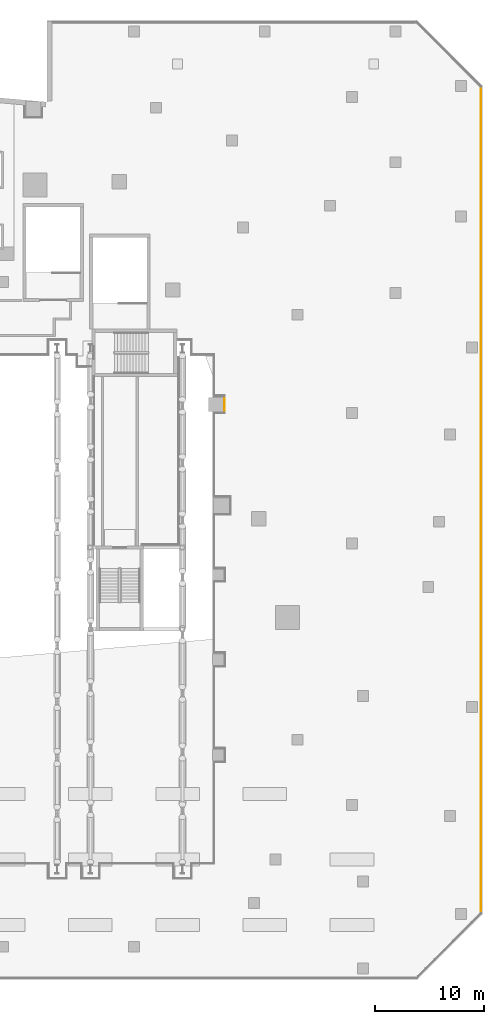
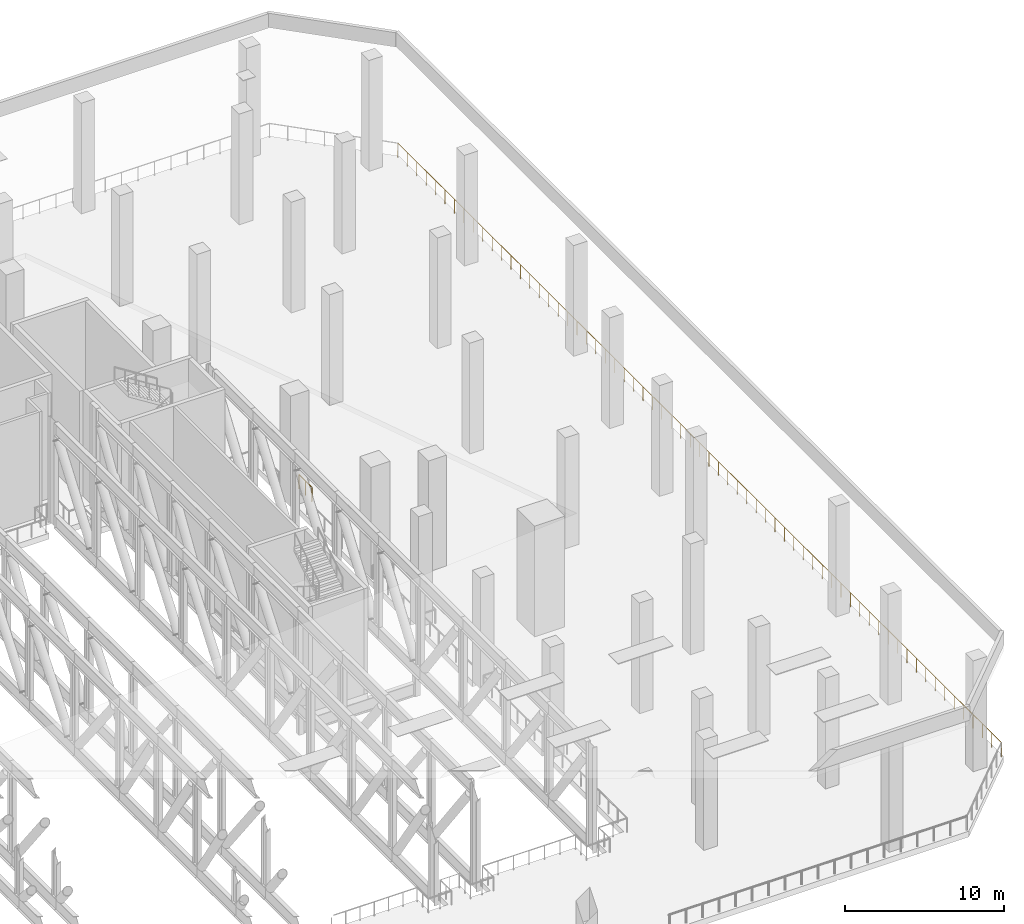
# One storey, part 30 of 33: 2 railings.
"""IFC4 building model written with IfcOpenShell, lengths in metres."""

import ifcopenshell
import ifcopenshell.guid

model = None  # the IFC model being written
_history = None  # IfcOwnerHistory: only IFC2X3 demands one
_inside = {}  # id of a spatial element -> (the spatial element, [elements in it])
_under = {}  # id of a project, library or spatial element -> (it, [spatial elements below it])
_declared = {}  # id of a project -> (the project, [libraries it declares])
_typed = {}  # id of a type object -> (the type object, [elements of that type])
_made_of = {}  # id of a material, layer set ... -> (it, [elements and type objects made of it])


def new_model(schema):
    """Start an empty IFC model of exactly this schema.

    Asked for "IFC4X3", IfcOpenShell would pick the latest addendum, in which some entities
    have other attributes; the version numbers below select the first issue.
    IFC2X3 requires an IfcOwnerHistory on every rooted entity: one is made here for all.
    """
    global model, _history
    if schema == "IFC4X3":
        model = ifcopenshell.file(schema_version=(4, 3, 0, 0))
    else:
        model = ifcopenshell.file(schema=schema)
    _inside.clear()
    _under.clear()
    _declared.clear()
    _typed.clear()
    _made_of.clear()
    _history = None
    if model.schema == "IFC2X3":
        org = make("IfcOrganization", Name="unknown")
        user = make(
            "IfcPersonAndOrganization",
            ThePerson=make("IfcPerson", FamilyName="unknown"),
            TheOrganization=org,
        )
        app = make(
            "IfcApplication",
            ApplicationDeveloper=org,
            Version="unknown",
            ApplicationFullName="unknown",
            ApplicationIdentifier="unknown",
        )
        _history = make(
            "IfcOwnerHistory",
            OwningUser=user,
            OwningApplication=app,
            ChangeAction="ADDED",
            CreationDate=0,
        )
    return model


def make(cls, **values):
    """One entity of the class cls with the attributes given. An attribute that is None is left unset."""
    return model.create_entity(
        cls, **{name: value for name, value in values.items() if value is not None}
    )


def rooted(cls, **values):
    """An entity with a GlobalId (a new one), such as an element, a storey or a relation."""
    return make(cls, GlobalId=ifcopenshell.guid.new(), OwnerHistory=_history, **values)


def si_unit(unit_type, name, prefix=None):
    """IfcSIUnit, for example si_unit("LENGTHUNIT", "METRE", prefix="MILLI")."""
    return make("IfcSIUnit", UnitType=unit_type, Prefix=prefix, Name=name)


def assignment(units):
    """IfcUnitAssignment: the units of a project."""
    return None if units is None else make("IfcUnitAssignment", Units=units)


def point(xyz):
    """IfcCartesianPoint."""
    return None if xyz is None else make("IfcCartesianPoint", Coordinates=xyz)


def direction(xyz):
    """IfcDirection."""
    return None if xyz is None else make("IfcDirection", DirectionRatios=xyz)


def frame(location, z_axis=None, x_axis=None):
    """IfcAxis2Placement3D, a coordinate frame: its origin and axes. An axis left out is left unset."""
    return make(
        "IfcAxis2Placement3D",
        Location=point(location),
        Axis=direction(z_axis),
        RefDirection=direction(x_axis),
    )


def frame_2d(location, x_axis=None):
    """IfcAxis2Placement2D, a coordinate frame in the plane: its origin and x axis."""
    return make(
        "IfcAxis2Placement2D", Location=point(location), RefDirection=direction(x_axis)
    )


def origin():
    """The frame at (0, 0, 0) with its axes left unset."""
    return frame((0.0, 0.0, 0.0))


def origin_2d():
    """The frame at (0, 0) in the plane with its x axis left unset."""
    return frame_2d((0.0, 0.0))


def place(relative_to, where):
    """IfcLocalPlacement: puts the frame where relative to a parent placement (None: the world)."""
    return make(
        "IfcLocalPlacement", PlacementRelTo=relative_to, RelativePlacement=where
    )


def context(
    kind, dimensions, precision=None, world=None, true_north=None, identifier=None
):
    """IfcGeometricRepresentationContext, for example the 3D "Model" context."""
    return make(
        "IfcGeometricRepresentationContext",
        ContextIdentifier=identifier,
        ContextType=kind,
        CoordinateSpaceDimension=dimensions,
        Precision=precision,
        WorldCoordinateSystem=world,
        TrueNorth=true_north,
    )


def subcontext(parent, identifier, kind, view, scale=None):
    """IfcGeometricRepresentationSubContext, for example "Body" below "Model"."""
    return make(
        "IfcGeometricRepresentationSubContext",
        ContextIdentifier=identifier,
        ContextType=kind,
        ParentContext=parent,
        TargetScale=scale,
        TargetView=view,
    )


def project(units=None, contexts=None):
    """IfcProject with its units and contexts."""
    return rooted(
        "IfcProject",
        Name="project",
        RepresentationContexts=contexts,
        UnitsInContext=assignment(units),
    )


def spatial(cls, under=None, at=None, **own):
    """A site, building, storey or space (cls), placed at a placement, below another one or the project."""
    s = rooted(cls, ObjectPlacement=at, **own)
    if under is not None:
        _under.setdefault(under.id(), (under, []))[1].append(s)
    return s


def profile(cls, at=None, kind="AREA", **sizes):
    """A parametric profile (cls). Its sizes go by their IFC names, for example OverallWidth=200.0."""
    return make(cls, ProfileType=kind, Position=at, **sizes)


def circle(**sizes):
    """IfcCircleProfileDef."""
    return profile("IfcCircleProfileDef", **sizes)


def extrude(swept, where, along, depth):
    """IfcExtrudedAreaSolid: the profile swept, set in the frame where, extruded along a direction by depth."""
    return make(
        "IfcExtrudedAreaSolid",
        SweptArea=swept,
        Position=where,
        ExtrudedDirection=direction(along),
        Depth=depth,
    )


def shape(context_of_items, identifier, shape_type, items):
    """IfcShapeRepresentation: the items that make up one representation, for example the "Body"."""
    return make(
        "IfcShapeRepresentation",
        ContextOfItems=context_of_items,
        RepresentationIdentifier=identifier,
        RepresentationType=shape_type,
        Items=items,
    )


def material(Name=None, Category=None):
    """IfcMaterial."""
    return make("IfcMaterial", Name=Name, Category=Category)


def made_of(thing, what):
    """Note that an element or type object is made of a material, layer set ...; save() writes the relation."""
    if what is not None:
        _made_of.setdefault(what.id(), (what, []))[1].append(thing)
    return thing


def type_object(cls, material=None, **own):
    """A type object (cls), such as IfcWallType, which elements share."""
    return made_of(rooted(cls, **own), material)


def element(
    cls,
    number,
    at=None,
    inside=None,
    cuts=None,
    type_object=None,
    material=None,
    context=None,
    identifier="Body",
    shape_type=None,
    held_by="IfcProductDefinitionShape",
    body=None,
    shapes=None,
    **own,
):
    """One element of the class cls, such as IfcWall. Its Tag is "e" and its number.

    at: its placement. inside: the storey or other place that contains it. cuts: it is an
    opening in that element (IfcRelVoidsElement). A single representation is given by context,
    identifier, shape_type and body (its items); several are given by shapes. held_by: the class
    of the entity that holds the representations. save() writes the other relations.
    """
    e = rooted(cls, Tag="e%d" % number, ObjectPlacement=at, **own)
    if body is not None:
        shapes = [shape(context, identifier, shape_type, body)]
    if shapes is not None:
        e.Representation = make(held_by, Representations=shapes)
    if inside is not None:
        _inside.setdefault(inside.id(), (inside, []))[1].append(e)
    if cuts is not None:
        rooted(
            "IfcRelVoidsElement", RelatingBuildingElement=cuts, RelatedOpeningElement=e
        )
    if type_object is not None:
        _typed.setdefault(type_object.id(), (type_object, []))[1].append(e)
    return made_of(e, material)


def aggregate(whole, parts):
    """IfcRelAggregates: a whole, such as a stair, and the parts it consists of."""
    return rooted("IfcRelAggregates", RelatingObject=whole, RelatedObjects=parts)


def save(model, path):
    """Write the relations noted so far, then the file.

    IfcRelAggregates (storeys below a building ...), IfcRelContainedInSpatialStructure (elements
    in a storey), IfcRelDefinesByType, IfcRelAssociatesMaterial and IfcRelDeclares: one each for
    every whole, place, type object, material and project.
    """
    for whole, parts in _under.values():
        aggregate(whole, parts)
    for where, things in _inside.values():
        rooted(
            "IfcRelContainedInSpatialStructure",
            RelatedElements=things,
            RelatingStructure=where,
        )
    for kind, things in _typed.values():
        rooted("IfcRelDefinesByType", RelatedObjects=things, RelatingType=kind)
    for what, things in _made_of.values():
        rooted("IfcRelAssociatesMaterial", RelatedObjects=things, RelatingMaterial=what)
    for by, libraries in _declared.values():
        rooted("IfcRelDeclares", RelatingContext=by, RelatedDefinitions=libraries)
    model.write(path)


model = new_model("IFC4")

# Units and contexts
model_context = context("Model", 3, precision=1e-05, world=origin(), true_north=direction((0.0, 1.0)))
body_context = subcontext(model_context, "Body", "Model", "MODEL_VIEW")
ifc_project = project(units=[si_unit("LENGTHUNIT", "METRE"), si_unit("AREAUNIT", "SQUARE_METRE"), si_unit("VOLUMEUNIT", "CUBIC_METRE"), si_unit("PLANEANGLEUNIT", "RADIAN"), si_unit("MASSUNIT", "GRAM", prefix="KILO")], contexts=[model_context])

# Site, building, storey
site_placement = place(None, origin())
site = spatial("IfcSite", under=ifc_project, at=site_placement, CompositionType="ELEMENT")
building_placement = place(site_placement, origin())
building = spatial("IfcBuilding", under=site, at=building_placement, Name="Wharfspan Tower", CompositionType="ELEMENT")
storey_placement = place(building_placement, frame((0.0, 0.0, 33.0)))
storey = spatial("IfcBuildingStorey", under=building, at=storey_placement, Name="L05", CompositionType="ELEMENT", Elevation=33.0)

# Railings
ifc_material = material(Name="Steel S355J2", Category="steel")
railing_type = type_object("IfcRailingType", Name="GUARD 1100 STEEL AND GLASS", PredefinedType="GUARDRAIL", material=ifc_material)
railing_1_placement = place(storey_placement, frame((107.860107, 49.941895, 0.0)))
element("IfcRailing", 1, at=railing_1_placement, inside=storey, type_object=railing_type, Name="Guard on the deck edge", PredefinedType="GUARDRAIL", context=body_context, shape_type="SweptSolid", body=[
    extrude(circle(Radius=0.024902, at=origin_2d()), frame((0.0, 0.0, 1.075195), z_axis=(0.0, -1.0, 0.0), x_axis=(1.0, 0.0, 0.0)), (0.0, 0.0, 1.0), 75.883789),
    extrude(circle(Radius=0.02002, at=origin_2d()), origin(), (0.0, 0.0, 1.0), 1.050049),
    extrude(circle(Radius=0.02002, at=origin_2d()), frame((0.0, -1.185791, 0.0)), (0.0, 0.0, 1.0), 1.050049),
    extrude(circle(Radius=0.02002, at=origin_2d()), frame((0.0, -2.371338, 0.0)), (0.0, 0.0, 1.0), 1.050049),
    extrude(circle(Radius=0.02002, at=origin_2d()), frame((0.0, -3.557129, 0.0)), (0.0, 0.0, 1.0), 1.050049),
    extrude(circle(Radius=0.02002, at=origin_2d()), frame((0.0, -4.742676, 0.0)), (0.0, 0.0, 1.0), 1.050049),
    extrude(circle(Radius=0.02002, at=origin_2d()), frame((0.0, -5.928467, 0.0)), (0.0, 0.0, 1.0), 1.050049),
    extrude(circle(Radius=0.02002, at=origin_2d()), frame((0.0, -7.114014, 0.0)), (0.0, 0.0, 1.0), 1.050049),
    extrude(circle(Radius=0.02002, at=origin_2d()), frame((0.0, -8.299805, 0.0)), (0.0, 0.0, 1.0), 1.050049),
    extrude(circle(Radius=0.02002, at=origin_2d()), frame((0.0, -9.485352, 0.0)), (0.0, 0.0, 1.0), 1.050049),
    extrude(circle(Radius=0.02002, at=origin_2d()), frame((0.0, -10.671143, 0.0)), (0.0, 0.0, 1.0), 1.050049),
    extrude(circle(Radius=0.02002, at=origin_2d()), frame((0.0, -11.856934, 0.0)), (0.0, 0.0, 1.0), 1.050049),
    extrude(circle(Radius=0.02002, at=origin_2d()), frame((0.0, -13.04248, 0.0)), (0.0, 0.0, 1.0), 1.050049),
    extrude(circle(Radius=0.02002, at=origin_2d()), frame((0.0, -14.228271, 0.0)), (0.0, 0.0, 1.0), 1.050049),
    extrude(circle(Radius=0.02002, at=origin_2d()), frame((0.0, -15.413818, 0.0)), (0.0, 0.0, 1.0), 1.050049),
    extrude(circle(Radius=0.02002, at=origin_2d()), frame((0.0, -16.599609, 0.0)), (0.0, 0.0, 1.0), 1.050049),
    extrude(circle(Radius=0.02002, at=origin_2d()), frame((0.0, -17.785156, 0.0)), (0.0, 0.0, 1.0), 1.050049),
    extrude(circle(Radius=0.02002, at=origin_2d()), frame((0.0, -18.970947, 0.0)), (0.0, 0.0, 1.0), 1.050049),
    extrude(circle(Radius=0.02002, at=origin_2d()), frame((0.0, -20.156738, 0.0)), (0.0, 0.0, 1.0), 1.050049),
    extrude(circle(Radius=0.02002, at=origin_2d()), frame((0.0, -21.342285, 0.0)), (0.0, 0.0, 1.0), 1.050049),
    extrude(circle(Radius=0.02002, at=origin_2d()), frame((0.0, -22.528076, 0.0)), (0.0, 0.0, 1.0), 1.050049),
    extrude(circle(Radius=0.02002, at=origin_2d()), frame((0.0, -23.713623, 0.0)), (0.0, 0.0, 1.0), 1.050049),
    extrude(circle(Radius=0.02002, at=origin_2d()), frame((0.0, -24.899414, 0.0)), (0.0, 0.0, 1.0), 1.050049),
    extrude(circle(Radius=0.02002, at=origin_2d()), frame((0.0, -26.084961, 0.0)), (0.0, 0.0, 1.0), 1.050049),
    extrude(circle(Radius=0.02002, at=origin_2d()), frame((0.0, -27.270752, 0.0)), (0.0, 0.0, 1.0), 1.050049),
    extrude(circle(Radius=0.02002, at=origin_2d()), frame((0.0, -28.456543, 0.0)), (0.0, 0.0, 1.0), 1.050049),
    extrude(circle(Radius=0.02002, at=origin_2d()), frame((0.0, -29.64209, 0.0)), (0.0, 0.0, 1.0), 1.050049),
    extrude(circle(Radius=0.02002, at=origin_2d()), frame((0.0, -30.827881, 0.0)), (0.0, 0.0, 1.0), 1.050049),
    extrude(circle(Radius=0.02002, at=origin_2d()), frame((0.0, -32.013428, 0.0)), (0.0, 0.0, 1.0), 1.050049),
    extrude(circle(Radius=0.02002, at=origin_2d()), frame((0.0, -33.199219, 0.0)), (0.0, 0.0, 1.0), 1.050049),
    extrude(circle(Radius=0.02002, at=origin_2d()), frame((0.0, -34.384766, 0.0)), (0.0, 0.0, 1.0), 1.050049),
    extrude(circle(Radius=0.02002, at=origin_2d()), frame((0.0, -35.570557, 0.0)), (0.0, 0.0, 1.0), 1.050049),
    extrude(circle(Radius=0.02002, at=origin_2d()), frame((0.0, -36.756104, 0.0)), (0.0, 0.0, 1.0), 1.050049),
    extrude(circle(Radius=0.02002, at=origin_2d()), frame((0.0, -37.941895, 0.0)), (0.0, 0.0, 1.0), 1.050049),
    extrude(circle(Radius=0.02002, at=origin_2d()), frame((0.0, -39.127686, 0.0)), (0.0, 0.0, 1.0), 1.050049),
    extrude(circle(Radius=0.02002, at=origin_2d()), frame((0.0, -40.313232, 0.0)), (0.0, 0.0, 1.0), 1.050049),
    extrude(circle(Radius=0.02002, at=origin_2d()), frame((0.0, -41.499023, 0.0)), (0.0, 0.0, 1.0), 1.050049),
    extrude(circle(Radius=0.02002, at=origin_2d()), frame((0.0, -42.68457, 0.0)), (0.0, 0.0, 1.0), 1.050049),
    extrude(circle(Radius=0.02002, at=origin_2d()), frame((0.0, -43.870361, 0.0)), (0.0, 0.0, 1.0), 1.050049),
    extrude(circle(Radius=0.02002, at=origin_2d()), frame((0.0, -45.055908, 0.0)), (0.0, 0.0, 1.0), 1.050049),
    extrude(circle(Radius=0.02002, at=origin_2d()), frame((0.0, -46.241699, 0.0)), (0.0, 0.0, 1.0), 1.050049),
    extrude(circle(Radius=0.02002, at=origin_2d()), frame((0.0, -47.427246, 0.0)), (0.0, 0.0, 1.0), 1.050049),
    extrude(circle(Radius=0.02002, at=origin_2d()), frame((0.0, -48.613037, 0.0)), (0.0, 0.0, 1.0), 1.050049),
    extrude(circle(Radius=0.02002, at=origin_2d()), frame((0.0, -49.798828, 0.0)), (0.0, 0.0, 1.0), 1.050049),
    extrude(circle(Radius=0.02002, at=origin_2d()), frame((0.0, -50.984375, 0.0)), (0.0, 0.0, 1.0), 1.050049),
    extrude(circle(Radius=0.02002, at=origin_2d()), frame((0.0, -52.170166, 0.0)), (0.0, 0.0, 1.0), 1.050049),
    extrude(circle(Radius=0.02002, at=origin_2d()), frame((0.0, -53.355713, 0.0)), (0.0, 0.0, 1.0), 1.050049),
    extrude(circle(Radius=0.02002, at=origin_2d()), frame((0.0, -54.541504, 0.0)), (0.0, 0.0, 1.0), 1.050049),
    extrude(circle(Radius=0.02002, at=origin_2d()), frame((0.0, -55.727051, 0.0)), (0.0, 0.0, 1.0), 1.050049),
    extrude(circle(Radius=0.02002, at=origin_2d()), frame((0.0, -56.912842, 0.0)), (0.0, 0.0, 1.0), 1.050049),
    extrude(circle(Radius=0.02002, at=origin_2d()), frame((0.0, -58.098633, 0.0)), (0.0, 0.0, 1.0), 1.050049),
    extrude(circle(Radius=0.02002, at=origin_2d()), frame((0.0, -59.28418, 0.0)), (0.0, 0.0, 1.0), 1.050049),
    extrude(circle(Radius=0.02002, at=origin_2d()), frame((0.0, -60.469971, 0.0)), (0.0, 0.0, 1.0), 1.050049),
    extrude(circle(Radius=0.02002, at=origin_2d()), frame((0.0, -61.655518, 0.0)), (0.0, 0.0, 1.0), 1.050049),
    extrude(circle(Radius=0.02002, at=origin_2d()), frame((0.0, -62.841309, 0.0)), (0.0, 0.0, 1.0), 1.050049),
    extrude(circle(Radius=0.02002, at=origin_2d()), frame((0.0, -64.026855, 0.0)), (0.0, 0.0, 1.0), 1.050049),
    extrude(circle(Radius=0.02002, at=origin_2d()), frame((0.0, -65.212646, 0.0)), (0.0, 0.0, 1.0), 1.050049),
    extrude(circle(Radius=0.02002, at=origin_2d()), frame((0.0, -66.398438, 0.0)), (0.0, 0.0, 1.0), 1.050049),
    extrude(circle(Radius=0.02002, at=origin_2d()), frame((0.0, -67.583984, 0.0)), (0.0, 0.0, 1.0), 1.050049),
    extrude(circle(Radius=0.02002, at=origin_2d()), frame((0.0, -68.769775, 0.0)), (0.0, 0.0, 1.0), 1.050049),
    extrude(circle(Radius=0.02002, at=origin_2d()), frame((0.0, -69.955322, 0.0)), (0.0, 0.0, 1.0), 1.050049),
    extrude(circle(Radius=0.02002, at=origin_2d()), frame((0.0, -71.141113, 0.0)), (0.0, 0.0, 1.0), 1.050049),
    extrude(circle(Radius=0.02002, at=origin_2d()), frame((0.0, -72.32666, 0.0)), (0.0, 0.0, 1.0), 1.050049),
    extrude(circle(Radius=0.02002, at=origin_2d()), frame((0.0, -73.512451, 0.0)), (0.0, 0.0, 1.0), 1.050049),
    extrude(circle(Radius=0.02002, at=origin_2d()), frame((0.0, -74.697998, 0.0)), (0.0, 0.0, 1.0), 1.050049),
    extrude(circle(Radius=0.02002, at=origin_2d()), frame((0.0, -75.883789, 0.0)), (0.0, 0.0, 1.0), 1.050049),
])
railing_2_placement = place(storey_placement, frame((84.306885, 19.968262, 0.0)))
element("IfcRailing", 2, at=railing_2_placement, inside=storey, type_object=railing_type, Name="Guard on the deck edge", PredefinedType="GUARDRAIL", context=body_context, shape_type="SweptSolid", body=[
    extrude(circle(Radius=0.024902, at=origin_2d()), frame((0.0, 0.0, 1.075195), z_axis=(0.0, 1.0, 0.0), x_axis=(-1.0, 0.0, 0.0)), (0.0, 0.0, 1.0), 1.600098),
    extrude(circle(Radius=0.02002, at=origin_2d()), origin(), (0.0, 0.0, 1.0), 1.050049),
    extrude(circle(Radius=0.02002, at=origin_2d()), frame((0.0, 0.800049, 0.0)), (0.0, 0.0, 1.0), 1.050049),
    extrude(circle(Radius=0.02002, at=origin_2d()), frame((0.0, 1.600098, 0.0)), (0.0, 0.0, 1.0), 1.050049),
])

save(model, "model.ifc")
